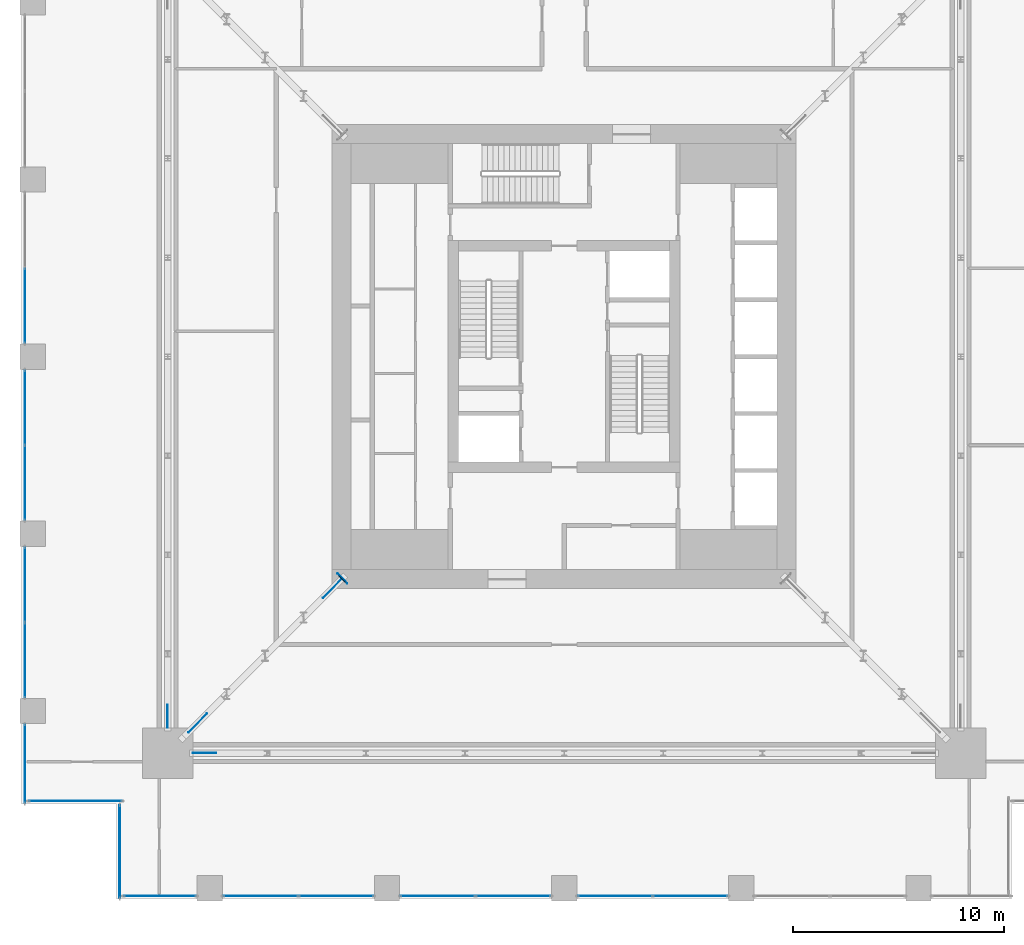
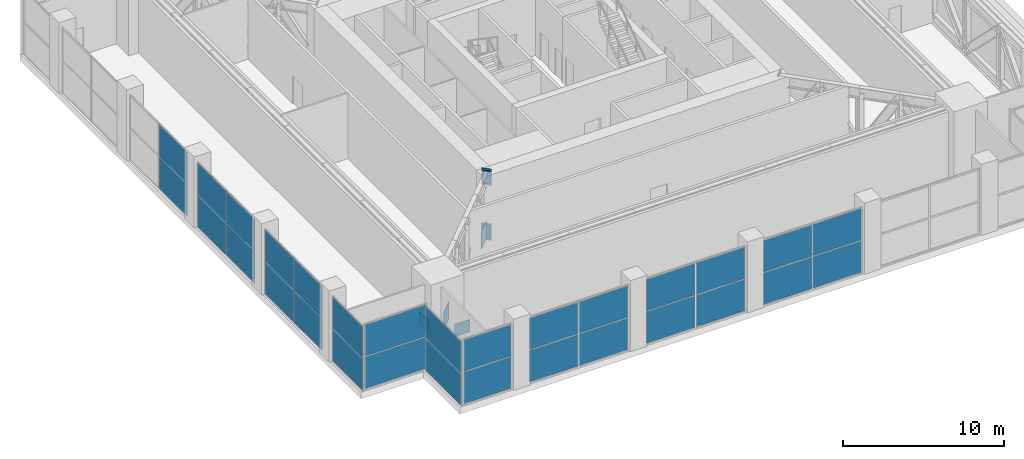
# One storey, part 11 of 21: 38 plates, 10 elements without a shape of their own.
"""IFC4 building model written with IfcOpenShell, lengths in metres."""

from ifc_helpers import new_model, si_unit, direction, frame, origin, origin_2d, place, context, subcontext, project, spatial, rectangle, extrude, material, layer, layer_set, type_object, element, aggregate, save


model = new_model("IFC4")

# Units and contexts
model_context = context("Model", 3, precision=1e-05, world=origin(), true_north=direction((0.0, 1.0)))
body_context = subcontext(model_context, "Body", "Model", "MODEL_VIEW")
ifc_project = project(units=[si_unit("LENGTHUNIT", "METRE"), si_unit("AREAUNIT", "SQUARE_METRE"), si_unit("VOLUMEUNIT", "CUBIC_METRE"), si_unit("PLANEANGLEUNIT", "RADIAN"), si_unit("MASSUNIT", "GRAM", prefix="KILO")], contexts=[model_context])

# Site, building, storey
site_placement = place(None, origin())
site = spatial("IfcSite", under=ifc_project, at=site_placement, CompositionType="ELEMENT")
building_placement = place(site_placement, origin())
building = spatial("IfcBuilding", under=site, at=building_placement, Name="Khepri Terraces", CompositionType="ELEMENT")
storey_placement = place(building_placement, frame((0.0, 0.0, 235.199951171875)))
storey = spatial("IfcBuildingStorey", under=building, at=storey_placement, Name="L56", CompositionType="ELEMENT", Elevation=235.199951171875)

# Curtain wall, plates
ifc_material_1 = material(Name="Anodised aluminium bronze curtain wall", Category="aluminium")
curtain_wall_type = type_object("IfcCurtainWallType", Name="CW-SYS3-SKY", PredefinedType="NOTDEFINED", material=ifc_material_1)
curtain_wall_1_placement = place(storey_placement, origin())
curtain_wall_1 = element("IfcCurtainWall", 1, at=curtain_wall_1_placement, inside=storey, type_object=curtain_wall_type, Name="Curtain wall CW3 L56 W", PredefinedType="NOTDEFINED")
ifc_material_2 = material(Name="Clear glass", Category="glass")
ifc_layer_1 = layer(ifc_material_2, 0.028076171875, Name="Clear glass", Category="glass")
ifc_layer_set_1 = layer_set([ifc_layer_1], Name="Clear glass")
plate_type_1 = type_object("IfcPlateType", Name="CW-PANEL-VISION-28", PredefinedType="CURTAIN_PANEL", material=ifc_layer_set_1)
plate_1_placement = place(storey_placement, frame((-25.570068359375, 2.4150390625, 0.06005859375), z_axis=(0.0, 0.0, 1.0), x_axis=(0.0, -1.0, 0.0)))
plate_1 = element("IfcPlate", 2, at=plate_1_placement, type_object=plate_type_1, Name="CW3 panel 2.1", PredefinedType="CURTAIN_PANEL", context=body_context, shape_type="SweptSolid", body=[
    extrude(rectangle(XDim=3.510009765625, YDim=0.028076171875, at=origin_2d()), origin(), (0.0, 0.0, 1.0), 2.39990234375),
])
plate_2_placement = place(storey_placement, frame((-25.570068359375, 2.4150390625, 2.52001953125), z_axis=(0.0, 0.0, 1.0), x_axis=(0.0, -1.0, 0.0)))
plate_2 = element("IfcPlate", 3, at=plate_2_placement, type_object=plate_type_1, Name="CW3 panel 2.2", PredefinedType="CURTAIN_PANEL", context=body_context, shape_type="SweptSolid", body=[
    extrude(rectangle(XDim=3.510009765625, YDim=0.028076171875, at=origin_2d()), origin(), (0.0, 0.0, 1.0), 2.39990234375),
])
aggregate(curtain_wall_1, [plate_1, plate_2])

curtain_wall_2_placement = place(storey_placement, origin())
curtain_wall_2 = element("IfcCurtainWall", 4, at=curtain_wall_2_placement, inside=storey, type_object=curtain_wall_type, Name="Curtain wall CW3 L56 W", PredefinedType="NOTDEFINED")
plate_3_placement = place(storey_placement, frame((-25.570068359375, -2.4150390625, 0.06005859375), z_axis=(0.0, 0.0, 1.0), x_axis=(0.0, -1.0, 0.0)))
plate_3 = element("IfcPlate", 5, at=plate_3_placement, type_object=plate_type_1, Name="CW3 panel 1.1", PredefinedType="CURTAIN_PANEL", context=body_context, shape_type="SweptSolid", body=[
    extrude(rectangle(XDim=3.510009765625, YDim=0.028076171875, at=origin_2d()), origin(), (0.0, 0.0, 1.0), 2.39990234375),
])
plate_4_placement = place(storey_placement, frame((-25.570068359375, -2.4150390625, 2.52001953125), z_axis=(0.0, 0.0, 1.0), x_axis=(0.0, -1.0, 0.0)))
plate_4 = element("IfcPlate", 6, at=plate_4_placement, type_object=plate_type_1, Name="CW3 panel 1.2", PredefinedType="CURTAIN_PANEL", context=body_context, shape_type="SweptSolid", body=[
    extrude(rectangle(XDim=3.510009765625, YDim=0.028076171875, at=origin_2d()), origin(), (0.0, 0.0, 1.0), 2.39990234375),
])
plate_5_placement = place(storey_placement, frame((-25.570068359375, -5.985107421875, 0.06005859375), z_axis=(0.0, 0.0, 1.0), x_axis=(0.0, -1.0, 0.0)))
plate_5 = element("IfcPlate", 7, at=plate_5_placement, type_object=plate_type_1, Name="CW3 panel 2.1", PredefinedType="CURTAIN_PANEL", context=body_context, shape_type="SweptSolid", body=[
    extrude(rectangle(XDim=3.510009765625, YDim=0.028076171875, at=origin_2d()), origin(), (0.0, 0.0, 1.0), 2.39990234375),
])
plate_6_placement = place(storey_placement, frame((-25.570068359375, -5.985107421875, 2.52001953125), z_axis=(0.0, 0.0, 1.0), x_axis=(0.0, -1.0, 0.0)))
plate_6 = element("IfcPlate", 8, at=plate_6_placement, type_object=plate_type_1, Name="CW3 panel 2.2", PredefinedType="CURTAIN_PANEL", context=body_context, shape_type="SweptSolid", body=[
    extrude(rectangle(XDim=3.510009765625, YDim=0.028076171875, at=origin_2d()), origin(), (0.0, 0.0, 1.0), 2.39990234375),
])
aggregate(curtain_wall_2, [plate_3, plate_4, plate_5, plate_6])

curtain_wall_3_placement = place(storey_placement, origin())
curtain_wall_3 = element("IfcCurtainWall", 9, at=curtain_wall_3_placement, inside=storey, type_object=curtain_wall_type, Name="Curtain wall CW3 L56 W", PredefinedType="NOTDEFINED")
plate_7_placement = place(storey_placement, frame((-25.570068359375, -10.81494140625, 0.06005859375), z_axis=(0.0, 0.0, 1.0), x_axis=(0.0, -1.0, 0.0)))
plate_7 = element("IfcPlate", 10, at=plate_7_placement, type_object=plate_type_1, Name="CW3 panel 1.1", PredefinedType="CURTAIN_PANEL", context=body_context, shape_type="SweptSolid", body=[
    extrude(rectangle(XDim=3.510009765625, YDim=0.028076171875, at=origin_2d()), origin(), (0.0, 0.0, 1.0), 2.39990234375),
])
plate_8_placement = place(storey_placement, frame((-25.570068359375, -10.81494140625, 2.52001953125), z_axis=(0.0, 0.0, 1.0), x_axis=(0.0, -1.0, 0.0)))
plate_8 = element("IfcPlate", 11, at=plate_8_placement, type_object=plate_type_1, Name="CW3 panel 1.2", PredefinedType="CURTAIN_PANEL", context=body_context, shape_type="SweptSolid", body=[
    extrude(rectangle(XDim=3.510009765625, YDim=0.028076171875, at=origin_2d()), origin(), (0.0, 0.0, 1.0), 2.39990234375),
])
plate_9_placement = place(storey_placement, frame((-25.570068359375, -14.385009765625, 0.06005859375), z_axis=(0.0, 0.0, 1.0), x_axis=(0.0, -1.0, 0.0)))
plate_9 = element("IfcPlate", 12, at=plate_9_placement, type_object=plate_type_1, Name="CW3 panel 2.1", PredefinedType="CURTAIN_PANEL", context=body_context, shape_type="SweptSolid", body=[
    extrude(rectangle(XDim=3.510009765625, YDim=0.028076171875, at=origin_2d()), origin(), (0.0, 0.0, 1.0), 2.39990234375),
])
plate_10_placement = place(storey_placement, frame((-25.570068359375, -14.385009765625, 2.52001953125), z_axis=(0.0, 0.0, 1.0), x_axis=(0.0, -1.0, 0.0)))
plate_10 = element("IfcPlate", 13, at=plate_10_placement, type_object=plate_type_1, Name="CW3 panel 2.2", PredefinedType="CURTAIN_PANEL", context=body_context, shape_type="SweptSolid", body=[
    extrude(rectangle(XDim=3.510009765625, YDim=0.028076171875, at=origin_2d()), origin(), (0.0, 0.0, 1.0), 2.39990234375),
])
aggregate(curtain_wall_3, [plate_7, plate_8, plate_9, plate_10])

curtain_wall_4_placement = place(storey_placement, origin())
curtain_wall_4 = element("IfcCurtainWall", 14, at=curtain_wall_4_placement, inside=storey, type_object=curtain_wall_type, Name="Curtain wall CW3 L56 W", PredefinedType="NOTDEFINED")
plate_11_placement = place(storey_placement, frame((-25.570068359375, -19.31005859375, 0.06005859375), z_axis=(0.0, 0.0, 1.0), x_axis=(0.0, -1.0, 0.0)))
plate_11 = element("IfcPlate", 15, at=plate_11_placement, type_object=plate_type_1, Name="CW3 panel 1.1", PredefinedType="CURTAIN_PANEL", context=body_context, shape_type="SweptSolid", body=[
    extrude(rectangle(XDim=3.699951171875, YDim=0.028076171875, at=origin_2d()), origin(), (0.0, 0.0, 1.0), 2.39990234375),
])
plate_12_placement = place(storey_placement, frame((-25.570068359375, -19.31005859375, 2.52001953125), z_axis=(0.0, 0.0, 1.0), x_axis=(0.0, -1.0, 0.0)))
plate_12 = element("IfcPlate", 16, at=plate_12_placement, type_object=plate_type_1, Name="CW3 panel 1.2", PredefinedType="CURTAIN_PANEL", context=body_context, shape_type="SweptSolid", body=[
    extrude(rectangle(XDim=3.699951171875, YDim=0.028076171875, at=origin_2d()), origin(), (0.0, 0.0, 1.0), 2.39990234375),
])
aggregate(curtain_wall_4, [plate_11, plate_12])

curtain_wall_5_placement = place(storey_placement, origin())
curtain_wall_5 = element("IfcCurtainWall", 17, at=curtain_wall_5_placement, inside=storey, type_object=curtain_wall_type, Name="Curtain wall CW3 L56 S", PredefinedType="NOTDEFINED")
plate_13_placement = place(storey_placement, frame((-23.169921875, -21.070068359375, 0.06005859375), z_axis=(0.0, 0.0, 1.0), x_axis=(1.0, 0.0, 0.0)))
plate_13 = element("IfcPlate", 18, at=plate_13_placement, type_object=plate_type_1, Name="CW3 panel 1.1", PredefinedType="CURTAIN_PANEL", context=body_context, shape_type="SweptSolid", body=[
    extrude(rectangle(XDim=4.3798828125, YDim=0.028076171875, at=origin_2d()), origin(), (0.0, 0.0, 1.0), 2.39990234375),
])
plate_14_placement = place(storey_placement, frame((-23.169921875, -21.070068359375, 2.52001953125), z_axis=(0.0, 0.0, 1.0), x_axis=(1.0, 0.0, 0.0)))
plate_14 = element("IfcPlate", 19, at=plate_14_placement, type_object=plate_type_1, Name="CW3 panel 1.2", PredefinedType="CURTAIN_PANEL", context=body_context, shape_type="SweptSolid", body=[
    extrude(rectangle(XDim=4.3798828125, YDim=0.028076171875, at=origin_2d()), origin(), (0.0, 0.0, 1.0), 2.39990234375),
])
aggregate(curtain_wall_5, [plate_13, plate_14])

curtain_wall_6_placement = place(storey_placement, origin())
curtain_wall_6 = element("IfcCurtainWall", 20, at=curtain_wall_6_placement, inside=storey, type_object=curtain_wall_type, Name="Curtain wall CW3 L56 W", PredefinedType="NOTDEFINED")
plate_15_placement = place(storey_placement, frame((-21.070068359375, -23.469970703125, 0.06005859375), z_axis=(0.0, 0.0, 1.0), x_axis=(0.0, -1.0, 0.0)))
plate_15 = element("IfcPlate", 21, at=plate_15_placement, type_object=plate_type_1, Name="CW3 panel 1.1", PredefinedType="CURTAIN_PANEL", context=body_context, shape_type="SweptSolid", body=[
    extrude(rectangle(XDim=4.3798828125, YDim=0.028076171875, at=origin_2d()), origin(), (0.0, 0.0, 1.0), 2.39990234375),
])
plate_16_placement = place(storey_placement, frame((-21.070068359375, -23.469970703125, 2.52001953125), z_axis=(0.0, 0.0, 1.0), x_axis=(0.0, -1.0, 0.0)))
plate_16 = element("IfcPlate", 22, at=plate_16_placement, type_object=plate_type_1, Name="CW3 panel 1.2", PredefinedType="CURTAIN_PANEL", context=body_context, shape_type="SweptSolid", body=[
    extrude(rectangle(XDim=4.3798828125, YDim=0.028076171875, at=origin_2d()), origin(), (0.0, 0.0, 1.0), 2.39990234375),
])
aggregate(curtain_wall_6, [plate_15, plate_16])

curtain_wall_7_placement = place(storey_placement, origin())
curtain_wall_7 = element("IfcCurtainWall", 23, at=curtain_wall_7_placement, inside=storey, type_object=curtain_wall_type, Name="Curtain wall CW3 L56 S", PredefinedType="NOTDEFINED")
plate_17_placement = place(storey_placement, frame((-19.159912109375, -25.570068359375, 0.06005859375), z_axis=(0.0, 0.0, 1.0), x_axis=(1.0, 0.0, 0.0)))
plate_17 = element("IfcPlate", 24, at=plate_17_placement, type_object=plate_type_1, Name="CW3 panel 1.1", PredefinedType="CURTAIN_PANEL", context=body_context, shape_type="SweptSolid", body=[
    extrude(rectangle(XDim=3.39990234375, YDim=0.028076171875, at=origin_2d()), origin(), (0.0, 0.0, 1.0), 2.39990234375),
])
plate_18_placement = place(storey_placement, frame((-19.159912109375, -25.570068359375, 2.52001953125), z_axis=(0.0, 0.0, 1.0), x_axis=(1.0, 0.0, 0.0)))
plate_18 = element("IfcPlate", 25, at=plate_18_placement, type_object=plate_type_1, Name="CW3 panel 1.2", PredefinedType="CURTAIN_PANEL", context=body_context, shape_type="SweptSolid", body=[
    extrude(rectangle(XDim=3.39990234375, YDim=0.028076171875, at=origin_2d()), origin(), (0.0, 0.0, 1.0), 2.39990234375),
])
aggregate(curtain_wall_7, [plate_17, plate_18])

curtain_wall_8_placement = place(storey_placement, origin())
curtain_wall_8 = element("IfcCurtainWall", 26, at=curtain_wall_8_placement, inside=storey, type_object=curtain_wall_type, Name="Curtain wall CW3 L56 S", PredefinedType="NOTDEFINED")
plate_19_placement = place(storey_placement, frame((-14.385009765625, -25.570068359375, 0.06005859375), z_axis=(0.0, 0.0, 1.0), x_axis=(1.0, 0.0, 0.0)))
plate_19 = element("IfcPlate", 27, at=plate_19_placement, type_object=plate_type_1, Name="CW3 panel 1.1", PredefinedType="CURTAIN_PANEL", context=body_context, shape_type="SweptSolid", body=[
    extrude(rectangle(XDim=3.510009765625, YDim=0.028076171875, at=origin_2d()), origin(), (0.0, 0.0, 1.0), 2.39990234375),
])
plate_20_placement = place(storey_placement, frame((-14.385009765625, -25.570068359375, 2.52001953125), z_axis=(0.0, 0.0, 1.0), x_axis=(1.0, 0.0, 0.0)))
plate_20 = element("IfcPlate", 28, at=plate_20_placement, type_object=plate_type_1, Name="CW3 panel 1.2", PredefinedType="CURTAIN_PANEL", context=body_context, shape_type="SweptSolid", body=[
    extrude(rectangle(XDim=3.510009765625, YDim=0.028076171875, at=origin_2d()), origin(), (0.0, 0.0, 1.0), 2.39990234375),
])
plate_21_placement = place(storey_placement, frame((-10.81494140625, -25.570068359375, 0.06005859375), z_axis=(0.0, 0.0, 1.0), x_axis=(1.0, 0.0, 0.0)))
plate_21 = element("IfcPlate", 29, at=plate_21_placement, type_object=plate_type_1, Name="CW3 panel 2.1", PredefinedType="CURTAIN_PANEL", context=body_context, shape_type="SweptSolid", body=[
    extrude(rectangle(XDim=3.510009765625, YDim=0.028076171875, at=origin_2d()), origin(), (0.0, 0.0, 1.0), 2.39990234375),
])
plate_22_placement = place(storey_placement, frame((-10.81494140625, -25.570068359375, 2.52001953125), z_axis=(0.0, 0.0, 1.0), x_axis=(1.0, 0.0, 0.0)))
plate_22 = element("IfcPlate", 30, at=plate_22_placement, type_object=plate_type_1, Name="CW3 panel 2.2", PredefinedType="CURTAIN_PANEL", context=body_context, shape_type="SweptSolid", body=[
    extrude(rectangle(XDim=3.510009765625, YDim=0.028076171875, at=origin_2d()), origin(), (0.0, 0.0, 1.0), 2.39990234375),
])
aggregate(curtain_wall_8, [plate_19, plate_20, plate_21, plate_22])

curtain_wall_9_placement = place(storey_placement, origin())
curtain_wall_9 = element("IfcCurtainWall", 31, at=curtain_wall_9_placement, inside=storey, type_object=curtain_wall_type, Name="Curtain wall CW3 L56 S", PredefinedType="NOTDEFINED")
plate_23_placement = place(storey_placement, frame((-5.985107421875, -25.570068359375, 0.06005859375), z_axis=(0.0, 0.0, 1.0), x_axis=(1.0, 0.0, 0.0)))
plate_23 = element("IfcPlate", 32, at=plate_23_placement, type_object=plate_type_1, Name="CW3 panel 1.1", PredefinedType="CURTAIN_PANEL", context=body_context, shape_type="SweptSolid", body=[
    extrude(rectangle(XDim=3.510009765625, YDim=0.028076171875, at=origin_2d()), origin(), (0.0, 0.0, 1.0), 2.39990234375),
])
plate_24_placement = place(storey_placement, frame((-5.985107421875, -25.570068359375, 2.52001953125), z_axis=(0.0, 0.0, 1.0), x_axis=(1.0, 0.0, 0.0)))
plate_24 = element("IfcPlate", 33, at=plate_24_placement, type_object=plate_type_1, Name="CW3 panel 1.2", PredefinedType="CURTAIN_PANEL", context=body_context, shape_type="SweptSolid", body=[
    extrude(rectangle(XDim=3.510009765625, YDim=0.028076171875, at=origin_2d()), origin(), (0.0, 0.0, 1.0), 2.39990234375),
])
plate_25_placement = place(storey_placement, frame((-2.4150390625, -25.570068359375, 0.06005859375), z_axis=(0.0, 0.0, 1.0), x_axis=(1.0, 0.0, 0.0)))
plate_25 = element("IfcPlate", 34, at=plate_25_placement, type_object=plate_type_1, Name="CW3 panel 2.1", PredefinedType="CURTAIN_PANEL", context=body_context, shape_type="SweptSolid", body=[
    extrude(rectangle(XDim=3.510009765625, YDim=0.028076171875, at=origin_2d()), origin(), (0.0, 0.0, 1.0), 2.39990234375),
])
plate_26_placement = place(storey_placement, frame((-2.4150390625, -25.570068359375, 2.52001953125), z_axis=(0.0, 0.0, 1.0), x_axis=(1.0, 0.0, 0.0)))
plate_26 = element("IfcPlate", 35, at=plate_26_placement, type_object=plate_type_1, Name="CW3 panel 2.2", PredefinedType="CURTAIN_PANEL", context=body_context, shape_type="SweptSolid", body=[
    extrude(rectangle(XDim=3.510009765625, YDim=0.028076171875, at=origin_2d()), origin(), (0.0, 0.0, 1.0), 2.39990234375),
])
aggregate(curtain_wall_9, [plate_23, plate_24, plate_25, plate_26])

curtain_wall_10_placement = place(storey_placement, origin())
curtain_wall_10 = element("IfcCurtainWall", 36, at=curtain_wall_10_placement, inside=storey, type_object=curtain_wall_type, Name="Curtain wall CW3 L56 S", PredefinedType="NOTDEFINED")
plate_27_placement = place(storey_placement, frame((2.4150390625, -25.570068359375, 0.06005859375), z_axis=(0.0, 0.0, 1.0), x_axis=(1.0, 0.0, 0.0)))
plate_27 = element("IfcPlate", 37, at=plate_27_placement, type_object=plate_type_1, Name="CW3 panel 1.1", PredefinedType="CURTAIN_PANEL", context=body_context, shape_type="SweptSolid", body=[
    extrude(rectangle(XDim=3.510009765625, YDim=0.028076171875, at=origin_2d()), origin(), (0.0, 0.0, 1.0), 2.39990234375),
])
plate_28_placement = place(storey_placement, frame((2.4150390625, -25.570068359375, 2.52001953125), z_axis=(0.0, 0.0, 1.0), x_axis=(1.0, 0.0, 0.0)))
plate_28 = element("IfcPlate", 38, at=plate_28_placement, type_object=plate_type_1, Name="CW3 panel 1.2", PredefinedType="CURTAIN_PANEL", context=body_context, shape_type="SweptSolid", body=[
    extrude(rectangle(XDim=3.510009765625, YDim=0.028076171875, at=origin_2d()), origin(), (0.0, 0.0, 1.0), 2.39990234375),
])
plate_29_placement = place(storey_placement, frame((5.985107421875, -25.570068359375, 0.06005859375), z_axis=(0.0, 0.0, 1.0), x_axis=(1.0, 0.0, 0.0)))
plate_29 = element("IfcPlate", 39, at=plate_29_placement, type_object=plate_type_1, Name="CW3 panel 2.1", PredefinedType="CURTAIN_PANEL", context=body_context, shape_type="SweptSolid", body=[
    extrude(rectangle(XDim=3.510009765625, YDim=0.028076171875, at=origin_2d()), origin(), (0.0, 0.0, 1.0), 2.39990234375),
])
plate_30_placement = place(storey_placement, frame((5.985107421875, -25.570068359375, 2.52001953125), z_axis=(0.0, 0.0, 1.0), x_axis=(1.0, 0.0, 0.0)))
plate_30 = element("IfcPlate", 40, at=plate_30_placement, type_object=plate_type_1, Name="CW3 panel 2.2", PredefinedType="CURTAIN_PANEL", context=body_context, shape_type="SweptSolid", body=[
    extrude(rectangle(XDim=3.510009765625, YDim=0.028076171875, at=origin_2d()), origin(), (0.0, 0.0, 1.0), 2.39990234375),
])
aggregate(curtain_wall_10, [plate_27, plate_28, plate_29, plate_30])

# Plates
ifc_material_3 = material(Name="Steel S355", Category="steel")
ifc_layer_2 = layer(ifc_material_3, 0.030029296875, Name="Steel S355", Category="steel")
ifc_layer_set_2 = layer_set([ifc_layer_2], Name="Steel S355")
plate_type_2 = type_object("IfcPlateType", Name="Cast-in plate 1250x650x30", PredefinedType="USERDEFINED", material=ifc_layer_set_2)
for number, where, z_axis, x_axis, name in (
    (41, (-10.5146484375, -10.5146484375, -0.218017578125), (0.0, 0.0, 1.0), (-0.707106781187, -0.707106781187, 0.0), "CAST-IN PLATE OT-56-WS BOT wall A"),
    (42, (-10.5146484375, -10.5146484375, 3.947998046875), (0.0, 0.0, 1.0), (-0.707106781187, -0.707106781187, 0.0), "CAST-IN PLATE OT-56-WS TOP wall A"),
):
    element("IfcPlate", number, at=place(storey_placement, frame(where, z_axis=z_axis, x_axis=x_axis)), inside=storey, type_object=plate_type_2, Name=name, ObjectType="CAST-IN PLATE", PredefinedType="USERDEFINED", context=body_context, shape_type="SweptSolid", body=[
        extrude(rectangle(XDim=0.030029296875, YDim=0.64990234375, at=origin_2d()), origin(), (0.0, 0.0, 1.0), 1.25),
    ])
ifc_layer_3 = layer(ifc_material_3, 0.034912109375, Name="Steel S355", Category="steel")
ifc_layer_set_3 = layer_set([ifc_layer_3], Name="Steel S355")
plate_type_3 = type_object("IfcPlateType", Name="End plate 950x450x35", PredefinedType="USERDEFINED", material=ifc_layer_set_3)
for number, where, z_axis, x_axis, name in (
    (43, (-10.53759765625, -10.53759765625, -0.06787109375), (0.0, 0.0, 1.0), (-0.707106781187, -0.707106781187, 0.0), "END PLATE OT-56-WS BOT end A"),
    (44, (-10.53759765625, -10.53759765625, 4.09814453125), (0.0, 0.0, 1.0), (-0.707106781187, -0.707106781187, 0.0), "END PLATE OT-56-WS TOP end A"),
):
    element("IfcPlate", number, at=place(storey_placement, frame(where, z_axis=z_axis, x_axis=x_axis)), inside=storey, type_object=plate_type_3, Name=name, ObjectType="END PLATE", PredefinedType="USERDEFINED", context=body_context, shape_type="SweptSolid", body=[
        extrude(rectangle(XDim=0.034912109375, YDim=0.449951171875, at=origin_2d()), origin(), (0.0, 0.0, 1.0), 0.949951171875),
    ])
ifc_layer_4 = layer(ifc_material_3, 0.02490234375, Name="Steel S355", Category="steel")
ifc_layer_set_4 = layer_set([ifc_layer_4], Name="Steel S355")
plate_type_4 = type_object("IfcPlateType", Name="Gusset plate 1100x950x25", PredefinedType="USERDEFINED", material=ifc_layer_set_4)
for number, where, z_axis, x_axis, name in (
    (45, (-17.050048828125, -18.800048828125, -0.10009765625), (0.0, 0.0, 1.0), (1.0, 0.0, 0.0), "GUSSET PLATE BT-56-S column node A"),
    (46, (-18.800048828125, -17.050048828125, -0.10009765625), (0.0, 0.0, 1.0), (0.0, -1.0, 0.0), "GUSSET PLATE BT-56-W column node B"),
):
    element("IfcPlate", number, at=place(storey_placement, frame(where, z_axis=z_axis, x_axis=x_axis)), inside=storey, type_object=plate_type_4, Name=name, ObjectType="GUSSET PLATE", PredefinedType="USERDEFINED", context=body_context, shape_type="SweptSolid", body=[
        extrude(rectangle(XDim=1.10009765625, YDim=0.02490234375, at=origin_2d()), origin(), (0.0, 0.0, 1.0), 0.949951171875),
    ])
ifc_layer_5 = layer(ifc_material_3, 0.030029296875, Name="Steel S355", Category="steel")
ifc_layer_set_5 = layer_set([ifc_layer_5], Name="Steel S355")
plate_type_5 = type_object("IfcPlateType", Name="Gusset plate 1250x1350x30", PredefinedType="USERDEFINED", material=ifc_layer_set_5)
for number, where, z_axis, x_axis, name in (
    (47, (-10.991943359375, -10.991943359375, -0.10009765625), (0.0, 0.0, 1.0), (-0.707106781187, -0.707106781187, 0.0), "GUSSET PLATE OT-56-WS node A"),
    (48, (-17.3701171875, -17.3701171875, -0.10009765625), (0.0, 0.0, 1.0), (-0.707106781187, -0.707106781187, 0.0), "GUSSET PLATE OT-56-WS column node B"),
):
    element("IfcPlate", number, at=place(storey_placement, frame(where, z_axis=z_axis, x_axis=x_axis)), inside=storey, type_object=plate_type_5, Name=name, ObjectType="GUSSET PLATE", PredefinedType="USERDEFINED", context=body_context, shape_type="SweptSolid", body=[
        extrude(rectangle(XDim=1.25, YDim=0.030029296875, at=origin_2d()), origin(), (0.0, 0.0, 1.0), 1.35009765625),
    ])

save(model, "model.ifc")
